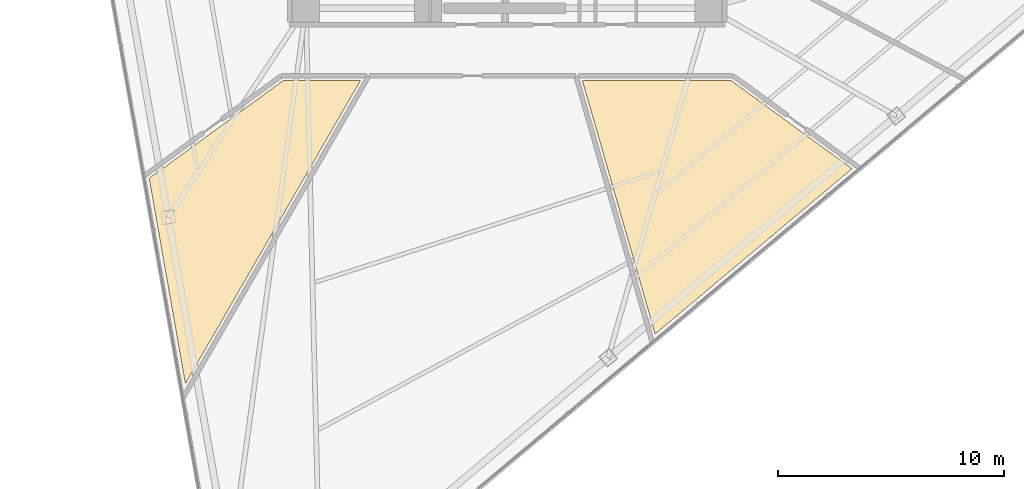
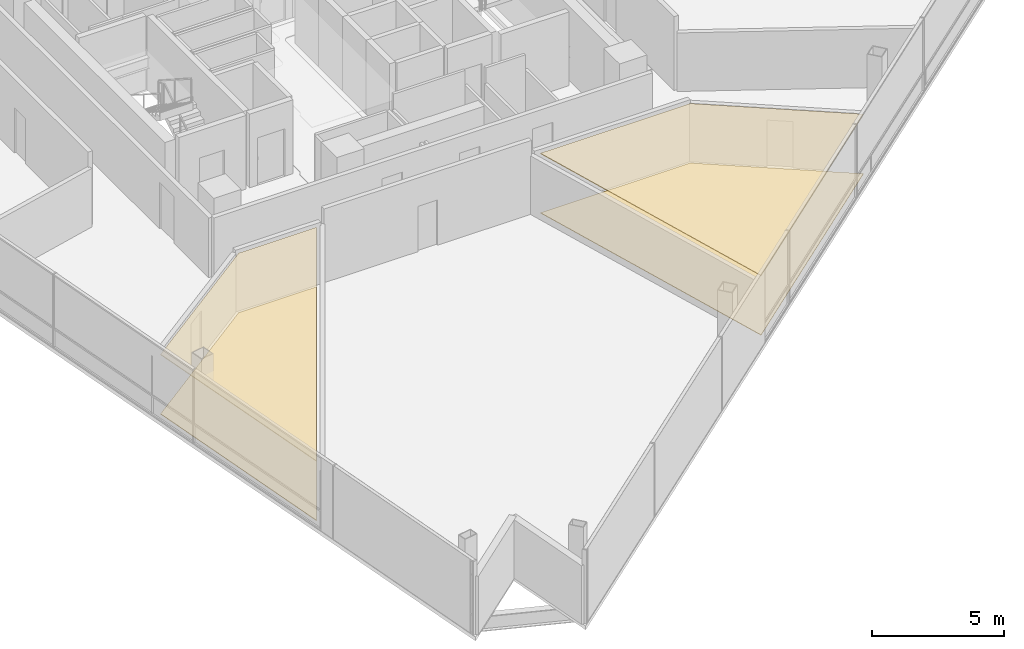
# One storey, part 13 of 15: 4 coverings.
"""IFC4 building model written with IfcOpenShell, lengths in metres."""

from ifc_helpers import new_model, si_unit, direction, frame, origin, place, context, subcontext, project, spatial, polyline, outline, extrude, material, layer, layer_set, type_object, element, save


model = new_model("IFC4")

# Units and contexts
model_context = context("Model", 3, precision=1e-05, world=origin(), true_north=direction((0.0, 1.0)))
body_context = subcontext(model_context, "Body", "Model", "MODEL_VIEW")
ifc_project = project(units=[si_unit("LENGTHUNIT", "METRE"), si_unit("AREAUNIT", "SQUARE_METRE"), si_unit("VOLUMEUNIT", "CUBIC_METRE"), si_unit("PLANEANGLEUNIT", "RADIAN"), si_unit("MASSUNIT", "GRAM", prefix="KILO")], contexts=[model_context])

# Site, building, storey
site_placement = place(None, origin())
site = spatial("IfcSite", under=ifc_project, at=site_placement, CompositionType="ELEMENT")
building_placement = place(site_placement, origin())
building = spatial("IfcBuilding", under=site, at=building_placement, Name="Tharavind Bronze Gate", CompositionType="ELEMENT")
storey_placement = place(building_placement, frame((0.0, 0.0, 174.10009765625)))
storey = spatial("IfcBuildingStorey", under=building, at=storey_placement, Name="L44", CompositionType="ELEMENT", Elevation=174.10009765625)

# Coverings
ifc_material_1 = material(Name="Engineered Oak & Carpet Tile", Category="wood")
ifc_layer_1 = layer(ifc_material_1, 0.02490234375)
ifc_layer_set_1 = layer_set([ifc_layer_1], Name="Engineered Oak & Carpet Tile")
covering_type_1 = type_object("IfcCoveringType", Name="ENGINEERED TIMBER FLOORING", PredefinedType="FLOORING", material=ifc_layer_set_1)
covering_1_placement = place(storey_placement, origin())
element("IfcCovering", 1, at=covering_1_placement, inside=storey, type_object=covering_type_1, Name="L44-RM-05 floor finish", PredefinedType="FLOORING", context=body_context, shape_type="SweptSolid", body=[
    extrude(outline(polyline([(-14.22705078125, -24.201904296875), (-6.489501953125, -10.800048828125), (-9.906494140625, -10.800048828125), (-15.828369140625, -15.12060546875), (-14.22705078125, -24.201904296875)])), origin(), (0.0, 0.0, 1.0), 0.02490234375),
])
covering_2_placement = place(storey_placement, origin())
element("IfcCovering", 2, at=covering_2_placement, inside=storey, type_object=covering_type_1, Name="L44-RM-07 floor finish", PredefinedType="FLOORING", context=body_context, shape_type="SweptSolid", body=[
    extrude(outline(polyline([(6.537841796875, -22.002197265625), (15.24560546875, -14.6953125), (9.906494140625, -10.800048828125), (3.32568359375, -10.800048828125), (6.537841796875, -22.002197265625)])), origin(), (0.0, 0.0, 1.0), 0.02490234375),
])
ifc_material_2 = material(Name="Acoustic Gypsum Board", Category="gypsum")
ifc_layer_2 = layer(ifc_material_2, 0.030029296875)
ifc_layer_set_2 = layer_set([ifc_layer_2], Name="Acoustic Gypsum Board")
covering_type_2 = type_object("IfcCoveringType", Name="GYPSUM SUSPENDED CEILING", PredefinedType="CEILING", material=ifc_layer_set_2)
covering_3_placement = place(storey_placement, frame((0.0, 0.0, 2.75)))
element("IfcCovering", 3, at=covering_3_placement, inside=storey, type_object=covering_type_2, Name="L44-RM-05 suspended ceiling", PredefinedType="CEILING", context=body_context, shape_type="SweptSolid", body=[
    extrude(outline(polyline([(-14.22705078125, -24.201904296875), (-6.489501953125, -10.800048828125), (-9.906494140625, -10.800048828125), (-15.828369140625, -15.12060546875), (-14.22705078125, -24.201904296875)])), origin(), (0.0, 0.0, 1.0), 0.034912109375),
])
covering_4_placement = place(storey_placement, frame((0.0, 0.0, 2.75)))
element("IfcCovering", 4, at=covering_4_placement, inside=storey, type_object=covering_type_2, Name="L44-RM-07 suspended ceiling", PredefinedType="CEILING", context=body_context, shape_type="SweptSolid", body=[
    extrude(outline(polyline([(6.537841796875, -22.002197265625), (15.24560546875, -14.6953125), (9.906494140625, -10.800048828125), (3.32568359375, -10.800048828125), (6.537841796875, -22.002197265625)])), origin(), (0.0, 0.0, 1.0), 0.034912109375),
])

save(model, "model.ifc")
